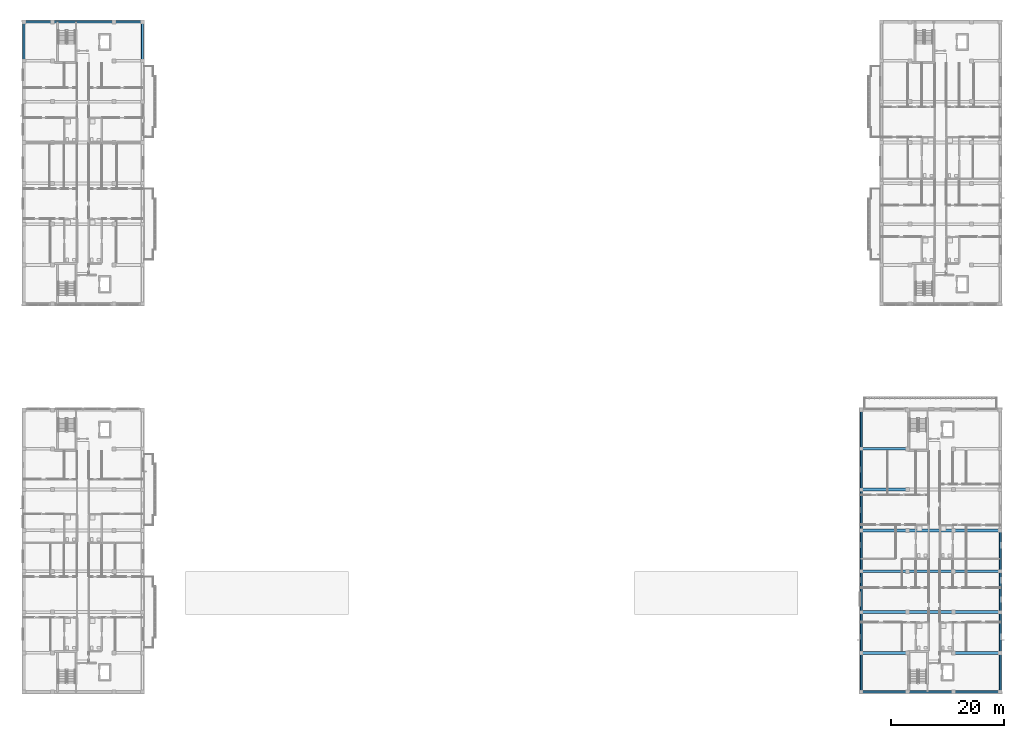
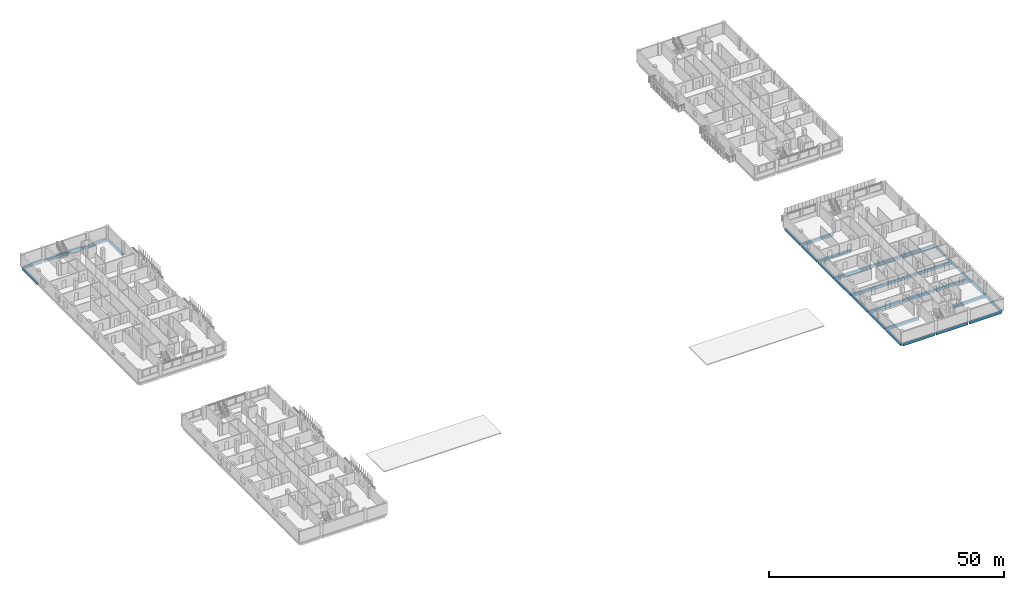
# One storey, part 14 of 51: 32 beams.
"""IFC4 building model written with IfcOpenShell, lengths in metres."""

from ifc_helpers import new_model, si_unit, derived_unit, direction, frame, origin, origin_2d, place, context, subcontext, project, spatial, rectangle, extrude, material, material_profile, profile_set, type_object, element, save


model = new_model("IFC4")

# Units and contexts
model_context = context("Model", 3, precision=1e-05, world=origin(), true_north=direction((0.0, 1.0)))
body_context = subcontext(model_context, "Body", "Model", "MODEL_VIEW")
ifc_project = project(units=[si_unit("LENGTHUNIT", "METRE"), si_unit("AREAUNIT", "SQUARE_METRE"), si_unit("VOLUMEUNIT", "CUBIC_METRE"), si_unit("PLANEANGLEUNIT", "RADIAN"), si_unit("MASSUNIT", "GRAM", prefix="KILO"), derived_unit("THERMALTRANSMITTANCEUNIT", [(si_unit("MASSUNIT", "GRAM", prefix="KILO"), 1), (si_unit("TIMEUNIT", "SECOND"), -3), (si_unit("THERMODYNAMICTEMPERATUREUNIT", "KELVIN"), -1)])], contexts=[model_context])

# Site, building, storey
site_placement = place(None, origin())
site = spatial("IfcSite", under=ifc_project, at=site_placement, CompositionType="ELEMENT")
building_placement = place(site_placement, origin())
building = spatial("IfcBuilding", under=site, at=building_placement, Name="Ochrekiln Boulevard Commons", CompositionType="ELEMENT")
storey_placement = place(building_placement, frame((0.0, 0.0, 15.22509765625)))
storey = spatial("IfcBuildingStorey", under=building, at=storey_placement, Name="L04", CompositionType="ELEMENT", Elevation=15.22509765625)

# Beams
ifc_material = material(Name="Concrete C40/50", Category="concrete")
ifc_material_profile_1 = material_profile(ifc_material, rectangle(XDim=0.5, YDim=0.699951171875, at=origin_2d()), Name="RC-BM-500x700")
ifc_profile_set_1 = profile_set([ifc_material_profile_1], Name="Concrete C40/50")
beam_type_1 = type_object("IfcBeamType", Name="BM-RC-500x700", PredefinedType="BEAM", material=ifc_profile_set_1)
for number, where, z_axis, x_axis, name in (
    (1, (148.159912109375, 7.199951171875, -0.610107421875), (1.0, 0.0, 0.0), (0.0, 1.0, 0.0), "Block C L04 Beam B-5070 X4"),
    (2, (164.4599609375, 7.199951171875, -0.610107421875), (1.0, 0.0, 0.0), (0.0, 1.0, 0.0), "Block C L04 Beam B-5070 X5"),
    (3, (148.159912109375, 14.39990234375, -0.610107421875), (1.0, 0.0, 0.0), (0.0, 1.0, 0.0), "Block C L04 Beam B-5070 X6"),
):
    element("IfcBeam", number, at=place(storey_placement, frame(where, z_axis=z_axis, x_axis=x_axis)), inside=storey, type_object=beam_type_1, Name=name, PredefinedType="BEAM", context=body_context, shape_type="SweptSolid", body=[
        extrude(rectangle(XDim=0.5, YDim=0.699951171875, at=origin_2d()), origin(), (0.0, 0.0, 1.0), 7.780029296875),
    ])
beam_1_placement = place(storey_placement, frame((156.360107421875, 14.39990234375, -0.610107421875), z_axis=(1.0, 0.0, 0.0), x_axis=(0.0, 1.0, 0.0)))
element("IfcBeam", 4, at=beam_1_placement, inside=storey, type_object=beam_type_1, Name="Block C L04 Beam B-5070 X7", PredefinedType="BEAM", context=body_context, shape_type="SweptSolid", body=[
    extrude(rectangle(XDim=0.5, YDim=0.699951171875, at=origin_2d()), origin(), (0.0, 0.0, 1.0), 7.679931640625),
])
for number, where, z_axis, x_axis, name in (
    (5, (164.4599609375, 14.39990234375, -0.610107421875), (1.0, 0.0, 0.0), (0.0, 1.0, 0.0), "Block C L04 Beam B-5070 X8"),
    (6, (148.159912109375, 21.60009765625, -0.610107421875), (1.0, 0.0, 0.0), (0.0, 1.0, 0.0), "Block C L04 Beam B-5070 X9"),
):
    element("IfcBeam", number, at=place(storey_placement, frame(where, z_axis=z_axis, x_axis=x_axis)), inside=storey, type_object=beam_type_1, Name=name, PredefinedType="BEAM", context=body_context, shape_type="SweptSolid", body=[
        extrude(rectangle(XDim=0.5, YDim=0.699951171875, at=origin_2d()), origin(), (0.0, 0.0, 1.0), 7.780029296875),
    ])
beam_2_placement = place(storey_placement, frame((156.360107421875, 21.60009765625, -0.610107421875), z_axis=(1.0, 0.0, 0.0), x_axis=(0.0, 1.0, 0.0)))
element("IfcBeam", 7, at=beam_2_placement, inside=storey, type_object=beam_type_1, Name="Block C L04 Beam B-5070 X10", PredefinedType="BEAM", context=body_context, shape_type="SweptSolid", body=[
    extrude(rectangle(XDim=0.5, YDim=0.699951171875, at=origin_2d()), origin(), (0.0, 0.0, 1.0), 7.679931640625),
])
for number, where, z_axis, x_axis, name in (
    (8, (164.4599609375, 21.60009765625, -0.610107421875), (1.0, 0.0, 0.0), (0.0, 1.0, 0.0), "Block C L04 Beam B-5070 X11"),
    (9, (148.159912109375, 28.800048828125, -0.610107421875), (1.0, 0.0, 0.0), (0.0, 1.0, 0.0), "Block C L04 Beam B-5070 X12"),
):
    element("IfcBeam", number, at=place(storey_placement, frame(where, z_axis=z_axis, x_axis=x_axis)), inside=storey, type_object=beam_type_1, Name=name, PredefinedType="BEAM", context=body_context, shape_type="SweptSolid", body=[
        extrude(rectangle(XDim=0.5, YDim=0.699951171875, at=origin_2d()), origin(), (0.0, 0.0, 1.0), 7.780029296875),
    ])
beam_3_placement = place(storey_placement, frame((156.360107421875, 28.800048828125, -0.610107421875), z_axis=(1.0, 0.0, 0.0), x_axis=(0.0, 1.0, 0.0)))
element("IfcBeam", 10, at=beam_3_placement, inside=storey, type_object=beam_type_1, Name="Block C L04 Beam B-5070 X13", PredefinedType="BEAM", context=body_context, shape_type="SweptSolid", body=[
    extrude(rectangle(XDim=0.5, YDim=0.699951171875, at=origin_2d()), origin(), (0.0, 0.0, 1.0), 7.679931640625),
])
for number, where, z_axis, x_axis, name in (
    (11, (164.4599609375, 28.800048828125, -0.610107421875), (1.0, 0.0, 0.0), (0.0, 1.0, 0.0), "Block C L04 Beam B-5070 X14"),
    (12, (148.159912109375, 36.0, -0.610107421875), (1.0, 0.0, 0.0), (0.0, 1.0, 0.0), "Block C L04 Beam B-5070 X15"),
    (13, (148.159912109375, 43.199951171875, -0.610107421875), (1.0, 0.0, 0.0), (0.0, 1.0, 0.0), "Block C L04 Beam B-5070 X18"),
):
    element("IfcBeam", number, at=place(storey_placement, frame(where, z_axis=z_axis, x_axis=x_axis)), inside=storey, type_object=beam_type_1, Name=name, PredefinedType="BEAM", context=body_context, shape_type="SweptSolid", body=[
        extrude(rectangle(XDim=0.5, YDim=0.699951171875, at=origin_2d()), origin(), (0.0, 0.0, 1.0), 7.780029296875),
    ])
ifc_material_profile_2 = material_profile(ifc_material, rectangle(XDim=0.35009765625, YDim=0.64990234375, at=origin_2d()), Name="RC-SPN-350x650")
ifc_profile_set_2 = profile_set([ifc_material_profile_2], Name="Concrete C40/50")
beam_type_2 = type_object("IfcBeamType", Name="SPN-RC-350x650", PredefinedType="SPANDREL", material=ifc_profile_set_2)
beam_4_placement = place(storey_placement, frame((0.56005859375, 118.449951171875, -0.585205078125), z_axis=(1.0, 0.0, 0.0), x_axis=(0.0, 1.0, 0.0)))
element("IfcBeam", 14, at=beam_4_placement, inside=storey, type_object=beam_type_2, Name="Block A L04 Beam SP-3565 X20", PredefinedType="SPANDREL", context=body_context, shape_type="SweptSolid", body=[
    extrude(rectangle(XDim=0.35009765625, YDim=0.64990234375, at=origin_2d()), origin(), (0.0, 0.0, 1.0), 4.6298828125),
])
beam_5_placement = place(storey_placement, frame((5.610107421875, 118.449951171875, -0.585205078125), z_axis=(1.0, 0.0, 0.0), x_axis=(0.0, 1.0, 0.0)))
element("IfcBeam", 15, at=beam_5_placement, inside=storey, type_object=beam_type_2, Name="Block A L04 Beam SP-3565 X21", PredefinedType="SPANDREL", context=body_context, shape_type="SweptSolid", body=[
    extrude(rectangle(XDim=0.35009765625, YDim=0.64990234375, at=origin_2d()), origin(), (0.0, 0.0, 1.0), 10.3798828125),
])
beam_6_placement = place(storey_placement, frame((16.409912109375, 118.449951171875, -0.585205078125), z_axis=(1.0, 0.0, 0.0), x_axis=(0.0, 1.0, 0.0)))
element("IfcBeam", 16, at=beam_6_placement, inside=storey, type_object=beam_type_2, Name="Block A L04 Beam SP-3565 X22", PredefinedType="SPANDREL", context=body_context, shape_type="SweptSolid", body=[
    extrude(rectangle(XDim=0.35009765625, YDim=0.64990234375, at=origin_2d()), origin(), (0.0, 0.0, 1.0), 4.630126953125),
])
for number, where, z_axis, x_axis, name in (
    (17, (0.35009765625, 111.81005859375, -0.585205078125), (0.0, 1.0, 0.0), (-1.0, 0.0, 0.0), "Block A L04 Beam SP-3565 Y29"),
    (18, (21.25, 111.81005859375, -0.585205078125), (0.0, 1.0, 0.0), (-1.0, 0.0, 0.0), "Block A L04 Beam SP-3565 Y36"),
):
    element("IfcBeam", number, at=place(storey_placement, frame(where, z_axis=z_axis, x_axis=x_axis)), inside=storey, type_object=beam_type_2, Name=name, PredefinedType="SPANDREL", context=body_context, shape_type="SweptSolid", body=[
        extrude(rectangle(XDim=0.35009765625, YDim=0.64990234375, at=origin_2d()), origin(), (0.0, 0.0, 1.0), 6.429931640625),
    ])
beam_7_placement = place(storey_placement, frame((148.159912109375, 0.35009765625, -0.585205078125), z_axis=(1.0, 0.0, 0.0), x_axis=(0.0, 1.0, 0.0)))
element("IfcBeam", 19, at=beam_7_placement, inside=storey, type_object=beam_type_2, Name="Block C L04 Beam SP-3565 X1", PredefinedType="SPANDREL", context=body_context, shape_type="SweptSolid", body=[
    extrude(rectangle(XDim=0.35009765625, YDim=0.64990234375, at=origin_2d()), origin(), (0.0, 0.0, 1.0), 7.780029296875),
])
beam_8_placement = place(storey_placement, frame((156.360107421875, 0.35009765625, -0.585205078125), z_axis=(1.0, 0.0, 0.0), x_axis=(0.0, 1.0, 0.0)))
element("IfcBeam", 20, at=beam_8_placement, inside=storey, type_object=beam_type_2, Name="Block C L04 Beam SP-3565 X2", PredefinedType="SPANDREL", context=body_context, shape_type="SweptSolid", body=[
    extrude(rectangle(XDim=0.35009765625, YDim=0.64990234375, at=origin_2d()), origin(), (0.0, 0.0, 1.0), 7.679931640625),
])
beam_9_placement = place(storey_placement, frame((164.4599609375, 0.35009765625, -0.585205078125), z_axis=(1.0, 0.0, 0.0), x_axis=(0.0, 1.0, 0.0)))
element("IfcBeam", 21, at=beam_9_placement, inside=storey, type_object=beam_type_2, Name="Block C L04 Beam SP-3565 X3", PredefinedType="SPANDREL", context=body_context, shape_type="SweptSolid", body=[
    extrude(rectangle(XDim=0.35009765625, YDim=0.64990234375, at=origin_2d()), origin(), (0.0, 0.0, 1.0), 7.780029296875),
])
beam_10_placement = place(storey_placement, frame((147.949951171875, 0.56005859375, -0.585205078125), z_axis=(0.0, 1.0, 0.0), x_axis=(-1.0, 0.0, 0.0)))
element("IfcBeam", 22, at=beam_10_placement, inside=storey, type_object=beam_type_2, Name="Block C L04 Beam SP-3565 Y23", PredefinedType="SPANDREL", context=body_context, shape_type="SweptSolid", body=[
    extrude(rectangle(XDim=0.35009765625, YDim=0.64990234375, at=origin_2d()), origin(), (0.0, 0.0, 1.0), 6.429931640625),
])
beam_11_placement = place(storey_placement, frame((147.949951171875, 7.409912109375, -0.585205078125), z_axis=(0.0, 1.0, 0.0), x_axis=(-1.0, 0.0, 0.0)))
element("IfcBeam", 23, at=beam_11_placement, inside=storey, type_object=beam_type_2, Name="Block C L04 Beam SP-3565 Y24", PredefinedType="SPANDREL", context=body_context, shape_type="SweptSolid", body=[
    extrude(rectangle(XDim=0.35009765625, YDim=0.64990234375, at=origin_2d()), origin(), (0.0, 0.0, 1.0), 6.780029296875),
])
beam_12_placement = place(storey_placement, frame((147.949951171875, 14.610107421875, -0.585205078125), z_axis=(0.0, 1.0, 0.0), x_axis=(-1.0, 0.0, 0.0)))
element("IfcBeam", 24, at=beam_12_placement, inside=storey, type_object=beam_type_2, Name="Block C L04 Beam SP-3565 Y25", PredefinedType="SPANDREL", context=body_context, shape_type="SweptSolid", body=[
    extrude(rectangle(XDim=0.35009765625, YDim=0.64990234375, at=origin_2d()), origin(), (0.0, 0.0, 1.0), 6.77978515625),
])
for number, where, z_axis, x_axis, name in (
    (25, (147.949951171875, 21.81005859375, -0.585205078125), (0.0, 1.0, 0.0), (-1.0, 0.0, 0.0), "Block C L04 Beam SP-3565 Y26"),
    (26, (147.949951171875, 29.010009765625, -0.585205078125), (0.0, 1.0, 0.0), (-1.0, 0.0, 0.0), "Block C L04 Beam SP-3565 Y27"),
    (27, (147.949951171875, 36.2099609375, -0.585205078125), (0.0, 1.0, 0.0), (-1.0, 0.0, 0.0), "Block C L04 Beam SP-3565 Y28"),
):
    element("IfcBeam", number, at=place(storey_placement, frame(where, z_axis=z_axis, x_axis=x_axis)), inside=storey, type_object=beam_type_2, Name=name, PredefinedType="SPANDREL", context=body_context, shape_type="SweptSolid", body=[
        extrude(rectangle(XDim=0.35009765625, YDim=0.64990234375, at=origin_2d()), origin(), (0.0, 0.0, 1.0), 6.780029296875),
    ])
beam_13_placement = place(storey_placement, frame((147.949951171875, 43.409912109375, -0.585205078125), z_axis=(0.0, 1.0, 0.0), x_axis=(-1.0, 0.0, 0.0)))
element("IfcBeam", 28, at=beam_13_placement, inside=storey, type_object=beam_type_2, Name="Block C L04 Beam SP-3565 Y29", PredefinedType="SPANDREL", context=body_context, shape_type="SweptSolid", body=[
    extrude(rectangle(XDim=0.35009765625, YDim=0.64990234375, at=origin_2d()), origin(), (0.0, 0.0, 1.0), 6.43017578125),
])
beam_14_placement = place(storey_placement, frame((172.449951171875, 0.56005859375, -0.585205078125), z_axis=(0.0, 1.0, 0.0), x_axis=(-1.0, 0.0, 0.0)))
element("IfcBeam", 29, at=beam_14_placement, inside=storey, type_object=beam_type_2, Name="Block C L04 Beam SP-3565 Y30", PredefinedType="SPANDREL", context=body_context, shape_type="SweptSolid", body=[
    extrude(rectangle(XDim=0.35009765625, YDim=0.64990234375, at=origin_2d()), origin(), (0.0, 0.0, 1.0), 6.429931640625),
])
beam_15_placement = place(storey_placement, frame((172.449951171875, 7.409912109375, -0.585205078125), z_axis=(0.0, 1.0, 0.0), x_axis=(-1.0, 0.0, 0.0)))
element("IfcBeam", 30, at=beam_15_placement, inside=storey, type_object=beam_type_2, Name="Block C L04 Beam SP-3565 Y31", PredefinedType="SPANDREL", context=body_context, shape_type="SweptSolid", body=[
    extrude(rectangle(XDim=0.35009765625, YDim=0.64990234375, at=origin_2d()), origin(), (0.0, 0.0, 1.0), 6.780029296875),
])
beam_16_placement = place(storey_placement, frame((172.449951171875, 14.610107421875, -0.585205078125), z_axis=(0.0, 1.0, 0.0), x_axis=(-1.0, 0.0, 0.0)))
element("IfcBeam", 31, at=beam_16_placement, inside=storey, type_object=beam_type_2, Name="Block C L04 Beam SP-3565 Y32", PredefinedType="SPANDREL", context=body_context, shape_type="SweptSolid", body=[
    extrude(rectangle(XDim=0.35009765625, YDim=0.64990234375, at=origin_2d()), origin(), (0.0, 0.0, 1.0), 6.77978515625),
])
beam_17_placement = place(storey_placement, frame((172.449951171875, 21.81005859375, -0.585205078125), z_axis=(0.0, 1.0, 0.0), x_axis=(-1.0, 0.0, 0.0)))
element("IfcBeam", 32, at=beam_17_placement, inside=storey, type_object=beam_type_2, Name="Block C L04 Beam SP-3565 Y33", PredefinedType="SPANDREL", context=body_context, shape_type="SweptSolid", body=[
    extrude(rectangle(XDim=0.35009765625, YDim=0.64990234375, at=origin_2d()), origin(), (0.0, 0.0, 1.0), 6.780029296875),
])

save(model, "model.ifc")
